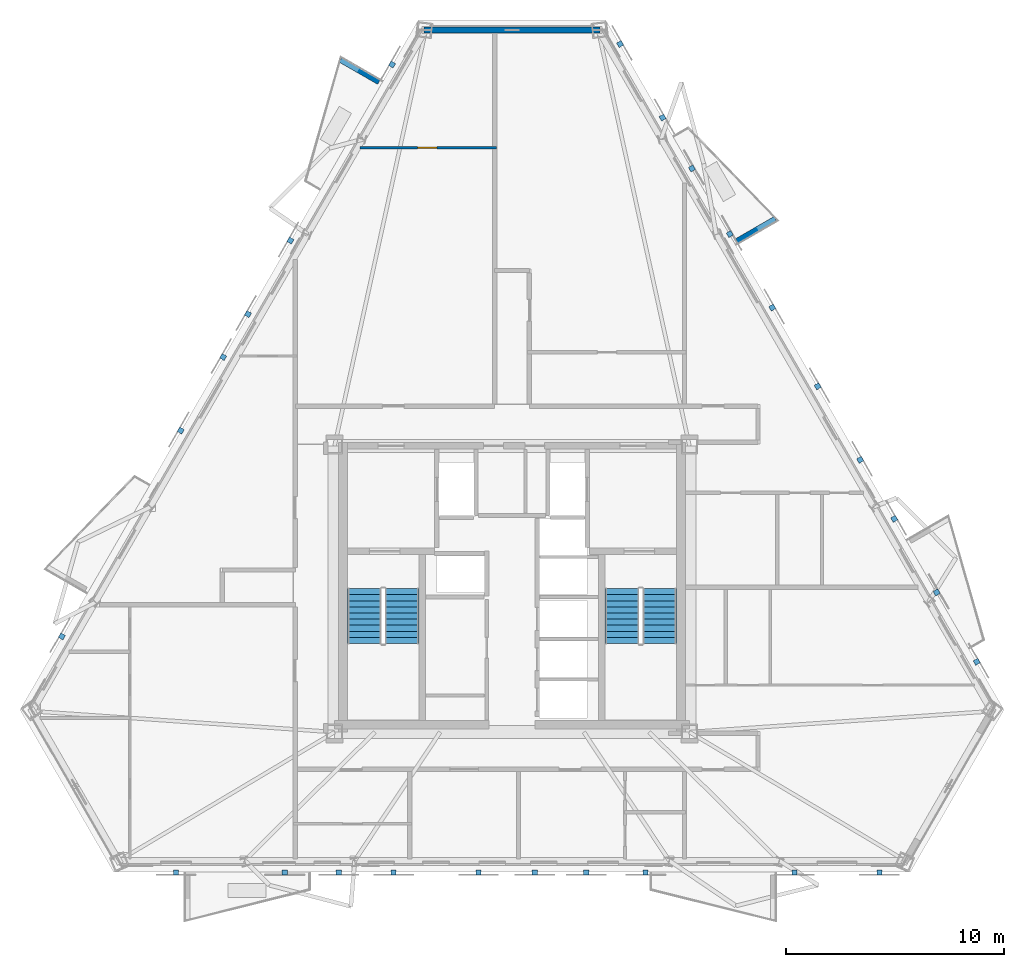
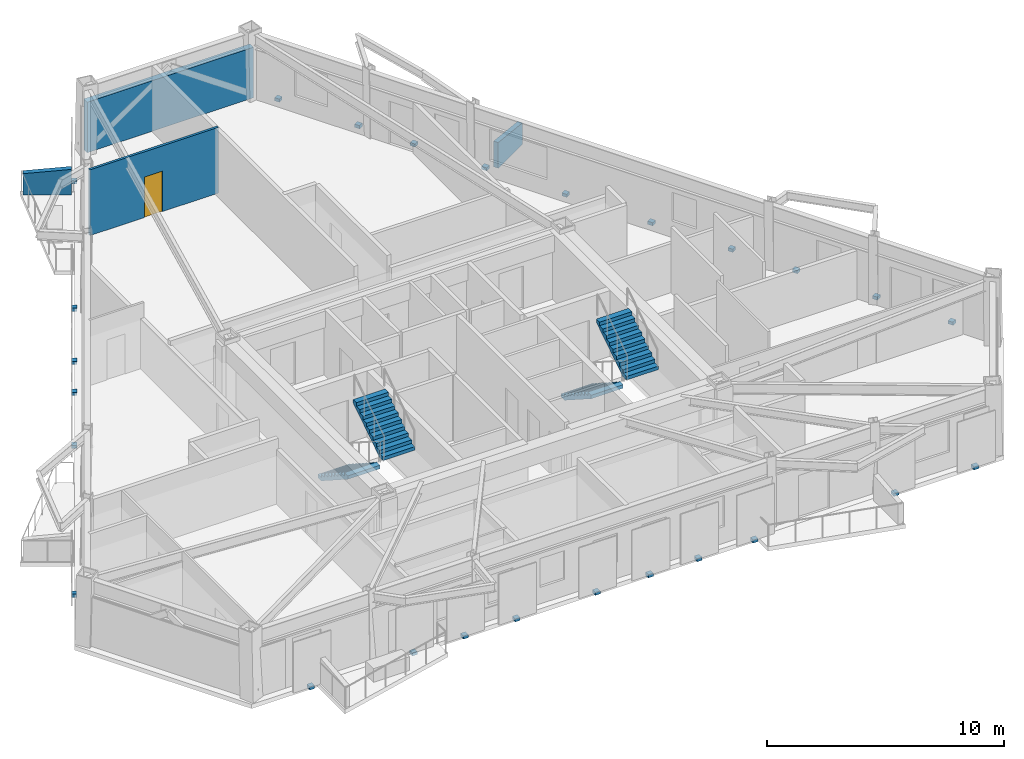
# One storey, part 7 of 10: 26 discrete accessories, 4 stair flights, 4 walls, 1 door, 1 opening, 2 elements without a shape of their own.
"""IFC4 building model written with IfcOpenShell, lengths in metres."""

from ifc_helpers import new_model, si_unit, direction, frame, frame_2d, origin, origin_2d, place, context, subcontext, project, spatial, polyline, rectangle, outline, extrude, material, layer, layer_set, type_object, element, fill, aggregate, save


model = new_model("IFC4")

# Units and contexts
model_context = context("Model", 3, precision=1e-05, world=origin(), true_north=direction((0.0, 1.0)))
body_context = subcontext(model_context, "Body", "Model", "MODEL_VIEW")
ifc_project = project(units=[si_unit("LENGTHUNIT", "METRE"), si_unit("AREAUNIT", "SQUARE_METRE"), si_unit("VOLUMEUNIT", "CUBIC_METRE"), si_unit("PLANEANGLEUNIT", "RADIAN"), si_unit("MASSUNIT", "GRAM", prefix="KILO")], contexts=[model_context])

# Site, building, storey
site_placement = place(None, origin())
site = spatial("IfcSite", under=ifc_project, at=site_placement, CompositionType="ELEMENT")
building_placement = place(site_placement, origin())
building = spatial("IfcBuilding", under=site, at=building_placement, Name="Oramaril Tower", CompositionType="ELEMENT")
storey_placement = place(building_placement, frame((0.0, 0.0, 181.800048828125)))
storey = spatial("IfcBuildingStorey", under=building, at=storey_placement, Name="L48", CompositionType="ELEMENT", Elevation=181.800048828125)

# Walls
ifc_material_1 = material(Name="Warm Cream Limestone", Category="masonry")
ifc_layer_1 = layer(ifc_material_1, 0.2900390625)
ifc_layer_set_1 = layer_set([ifc_layer_1], Name="WT-EXT29")
wall_type_1 = type_object("IfcWallType", Name="WT-EXT29", PredefinedType="SOLIDWALL", material=ifc_layer_set_1)
wall_1_placement = place(storey_placement, frame((41.53857421875, 43.247314453125, 0.0), z_axis=(0.0, 0.0, 1.0), x_axis=(-1.0, 0.0, 0.0)))
element("IfcWall", 1, at=wall_1_placement, inside=storey, type_object=wall_type_1, Name="L48 Tower Limestone Facade Wall 5M", PredefinedType="SOLIDWALL", context=body_context, shape_type="SweptSolid", body=[
    extrude(rectangle(XDim=8.0771484375, YDim=0.2900390625, at=frame_2d((4.03857421875, 0.0))), origin(), (0.0, 0.0, 1.0), 2.599853515625),
])
ifc_material_2 = material(Name="Concrete C40/50", Category="concrete")
ifc_layer_2 = layer(ifc_material_2, 0.22998046875)
ifc_layer_set_2 = layer_set([ifc_layer_2], Name="WT-PRP23")
wall_type_2 = type_object("IfcWallType", Name="WT-PRP23", PredefinedType="PARAPET", material=ifc_layer_set_2)
for number, where, z_axis, x_axis, name in (
    (2, (47.821044921875, 33.5615234375, 0.0), (0.0, 0.0, 1.0), (0.866042246008, 0.499970827278, 0.0), "L48 Trapezoidal Balcony Frame Cheek L48-BAL-NE2-L"),
    (3, (31.386474609375, 40.84912109375, 0.0), (0.0, 0.0, 1.0), (-0.866042246008, 0.499970827278, 0.0), "L48 Trapezoidal Balcony Frame Cheek L48-BAL-NW1-L"),
):
    element("IfcWall", number, at=place(storey_placement, frame(where, z_axis=z_axis, x_axis=x_axis)), inside=storey, type_object=wall_type_2, Name=name, PredefinedType="PARAPET", context=body_context, shape_type="SweptSolid", body=[
        extrude(outline(polyline([(0.0, 0.0), (2.0419921875, 0.0), (2.0419921875, 1.099853515625), (0.0, 1.320068359375), (0.0, 0.0)])), frame((0.0, 0.114990234375, 0.0), z_axis=(0.0, -1.0, 0.0), x_axis=(1.0, 0.0, 0.0)), (0.0, 0.0, 1.0), 0.22998046875),
    ])

# Wall, opening, door
ifc_material_3 = material(Name="Acoustic Gypsum Board Partition")
ifc_layer_3 = layer(ifc_material_3, 0.1201171875)
ifc_layer_set_3 = layer_set([ifc_layer_3], Name="WT-PT12")
wall_type_3 = type_object("IfcWallType", Name="WT-PT12", PredefinedType="PARTITIONING", material=ifc_layer_set_3)
wall_2_placement = place(storey_placement, frame((30.51171875, 37.840087890625, 0.0), z_axis=(0.0, 0.0, 1.0), x_axis=(1.0, 0.0, 0.0)))
wall_2 = element("IfcWall", 4, at=wall_2_placement, inside=storey, type_object=wall_type_3, Name="L48 Interior Partition PT-12", PredefinedType="PARTITIONING", context=body_context, shape_type="SweptSolid", body=[
    extrude(rectangle(XDim=6.270263671875, YDim=0.1201171875, at=frame_2d((3.13525390625, 0.0))), origin(), (0.0, 0.0, 1.0), 3.3798828125),
])
opening_placement = place(wall_2_placement, frame((2.654052734375, 0.0, 0.0)))
opening = element("IfcOpeningElement", 5, at=opening_placement, cuts=wall_2, Name="Opening D-L48-16", PredefinedType="OPENING", context=body_context, shape_type="SweptSolid", body=[
    extrude(rectangle(XDim=0.8798828125, YDim=2.080078125, at=frame_2d((0.43994140625, 1.0400390625))), frame((0.0, 0.06005859375, 0.0), z_axis=(0.0, -1.0, 0.0), x_axis=(1.0, 0.0, 0.0)), (0.0, 0.0, 1.0), 0.1201171875),
])
ifc_material_4 = material(Name="FSC Brazilian Freijo Hardwood", Category="wood")
door_type = type_object("IfcDoorType", Name="DT-BATH", OperationType="NOTDEFINED", PredefinedType="DOOR", material=ifc_material_4)
door_placement = place(opening_placement, origin())
door = element("IfcDoor", 6, at=door_placement, inside=storey, type_object=door_type, Name="L48 Flat L48-U7 Bathroom Door D-L48-16", OperationType="SINGLE_SWING_LEFT", OverallHeight=2.080078125, OverallWidth=0.8798828125, PredefinedType="DOOR", context=body_context, shape_type="SweptSolid", body=[
    extrude(rectangle(XDim=0.8798828125, YDim=2.080078125, at=frame_2d((0.43994140625, 1.0400390625))), frame((0.0, 0.02490234375, 0.0), z_axis=(0.0, -1.0, 0.0), x_axis=(1.0, 0.0, 0.0)), (0.0, 0.0, 1.0), 0.050048828125),
])
fill(opening, door)

# Stair, stair flights
ifc_material_5 = material(Name="Concrete C50/60", Category="concrete")
stair_type = type_object("IfcStairType", Name="STT-DG-3600", PredefinedType="HALF_TURN_STAIR", material=ifc_material_5)
stair_1_placement = place(storey_placement, origin())
stair_1 = element("IfcStair", 7, at=stair_1_placement, inside=storey, type_object=stair_type, Name="L48 Protected PFP Exit Stair ST-1", PredefinedType="HALF_TURN_STAIR")
ifc_material_6 = material(Name="Concrete C50/60", Category="concrete")
stair_flight_type = type_object("IfcStairFlightType", Name="SFT-DG-3600", PredefinedType="STRAIGHT", material=ifc_material_6)
stair_flight_1_placement = place(storey_placement, frame((30.72998046875, 17.590087890625, 0.0), z_axis=(0.0, 0.0, 1.0), x_axis=(0.0, -1.0, 0.0)))
stair_flight_1 = element("IfcStairFlight", 8, at=stair_flight_1_placement, type_object=stair_flight_type, Name="ST-1 flight 1", NumberOfRisers=10, NumberOfTreads=9, PredefinedType="STRAIGHT", RiserHeight=0.18, TreadLength=0.28, context=body_context, shape_type="SweptSolid", body=[
    extrude(outline(polyline([(0.0, 0.0), (0.0, 0.179931640625), (0.280029296875, 0.179931640625), (0.280029296875, 0.360107421875), (0.56005859375, 0.360107421875), (0.56005859375, 0.5400390625), (0.840087890625, 0.5400390625), (0.840087890625, 0.719970703125), (1.1201171875, 0.719970703125), (1.1201171875, 0.89990234375), (1.39990234375, 0.89990234375), (1.39990234375, 1.080078125), (1.679931640625, 1.080078125), (1.679931640625, 1.260009765625), (1.9599609375, 1.260009765625), (1.9599609375, 1.43994140625), (2.239990234375, 1.43994140625), (2.239990234375, 1.6201171875), (2.52001953125, 1.6201171875), (2.52001953125, 1.800048828125), (2.52001953125, 1.44189453125), (0.277099609375, 0.0), (0.0, 0.0)])), frame((0.0, 0.780029296875, 0.0), z_axis=(0.0, -1.0, 0.0), x_axis=(1.0, 0.0, 0.0)), (0.0, 0.0, 1.0), 1.56005859375),
])
stair_flight_2_placement = place(storey_placement, frame((32.43994140625, 15.070068359375, 1.800048828125), z_axis=(0.0, 0.0, 1.0), x_axis=(0.0, 1.0, 0.0)))
stair_flight_2 = element("IfcStairFlight", 9, at=stair_flight_2_placement, type_object=stair_flight_type, Name="ST-1 flight 2", NumberOfRisers=10, NumberOfTreads=9, PredefinedType="STRAIGHT", RiserHeight=0.18, TreadLength=0.28, context=body_context, shape_type="SweptSolid", body=[
    extrude(outline(polyline([(0.0, 0.0), (0.0, 0.179931640625), (0.280029296875, 0.179931640625), (0.280029296875, 0.360107421875), (0.56005859375, 0.360107421875), (0.56005859375, 0.5400390625), (0.840087890625, 0.5400390625), (0.840087890625, 0.719970703125), (1.1201171875, 0.719970703125), (1.1201171875, 0.89990234375), (1.39990234375, 0.89990234375), (1.39990234375, 1.080078125), (1.679931640625, 1.080078125), (1.679931640625, 1.260009765625), (1.9599609375, 1.260009765625), (1.9599609375, 1.43994140625), (2.239990234375, 1.43994140625), (2.239990234375, 1.6201171875), (2.52001953125, 1.6201171875), (2.52001953125, 1.800048828125), (2.52001953125, 1.44189453125), (0.277099609375, 0.0), (0.0, 0.0)])), frame((0.0, 0.780029296875, 0.0), z_axis=(0.0, -1.0, 0.0), x_axis=(1.0, 0.0, 0.0)), (0.0, 0.0, 1.0), 1.56005859375),
])
aggregate(stair_1, [stair_flight_1, stair_flight_2])

stair_2_placement = place(storey_placement, origin())
stair_2 = element("IfcStair", 10, at=stair_2_placement, inside=storey, type_object=stair_type, Name="L48 Protected PFP Exit Stair ST-2", PredefinedType="HALF_TURN_STAIR")
stair_flight_3_placement = place(storey_placement, frame((42.56005859375, 17.590087890625, 0.0), z_axis=(0.0, 0.0, 1.0), x_axis=(0.0, -1.0, 0.0)))
stair_flight_3 = element("IfcStairFlight", 11, at=stair_flight_3_placement, type_object=stair_flight_type, Name="ST-2 flight 1", NumberOfRisers=10, NumberOfTreads=9, PredefinedType="STRAIGHT", RiserHeight=0.18, TreadLength=0.28, context=body_context, shape_type="SweptSolid", body=[
    extrude(outline(polyline([(0.0, 0.0), (0.0, 0.179931640625), (0.280029296875, 0.179931640625), (0.280029296875, 0.360107421875), (0.56005859375, 0.360107421875), (0.56005859375, 0.5400390625), (0.840087890625, 0.5400390625), (0.840087890625, 0.719970703125), (1.1201171875, 0.719970703125), (1.1201171875, 0.89990234375), (1.39990234375, 0.89990234375), (1.39990234375, 1.080078125), (1.679931640625, 1.080078125), (1.679931640625, 1.260009765625), (1.9599609375, 1.260009765625), (1.9599609375, 1.43994140625), (2.239990234375, 1.43994140625), (2.239990234375, 1.6201171875), (2.52001953125, 1.6201171875), (2.52001953125, 1.800048828125), (2.52001953125, 1.44189453125), (0.277099609375, 0.0), (0.0, 0.0)])), frame((0.0, 0.780029296875, 0.0), z_axis=(0.0, -1.0, 0.0), x_axis=(1.0, 0.0, 0.0)), (0.0, 0.0, 1.0), 1.56005859375),
])
stair_flight_4_placement = place(storey_placement, frame((44.27001953125, 15.070068359375, 1.800048828125), z_axis=(0.0, 0.0, 1.0), x_axis=(0.0, 1.0, 0.0)))
stair_flight_4 = element("IfcStairFlight", 12, at=stair_flight_4_placement, type_object=stair_flight_type, Name="ST-2 flight 2", NumberOfRisers=10, NumberOfTreads=9, PredefinedType="STRAIGHT", RiserHeight=0.18, TreadLength=0.28, context=body_context, shape_type="SweptSolid", body=[
    extrude(outline(polyline([(0.0, 0.0), (0.0, 0.179931640625), (0.280029296875, 0.179931640625), (0.280029296875, 0.360107421875), (0.56005859375, 0.360107421875), (0.56005859375, 0.5400390625), (0.840087890625, 0.5400390625), (0.840087890625, 0.719970703125), (1.1201171875, 0.719970703125), (1.1201171875, 0.89990234375), (1.39990234375, 0.89990234375), (1.39990234375, 1.080078125), (1.679931640625, 1.080078125), (1.679931640625, 1.260009765625), (1.9599609375, 1.260009765625), (1.9599609375, 1.43994140625), (2.239990234375, 1.43994140625), (2.239990234375, 1.6201171875), (2.52001953125, 1.6201171875), (2.52001953125, 1.800048828125), (2.52001953125, 1.44189453125), (0.277099609375, 0.0), (0.0, 0.0)])), frame((0.0, 0.780029296875, 0.0), z_axis=(0.0, -1.0, 0.0), x_axis=(1.0, 0.0, 0.0)), (0.0, 0.0, 1.0), 1.56005859375),
])
aggregate(stair_2, [stair_flight_3, stair_flight_4])

# Discrete accessories
for number, where, z_axis, x_axis, name in (
    (13, (32.0595703125, 4.548828125, -0.14013671875), (0.0, 0.0, 1.0), (1.0, 0.0, 0.0), "L48 Solar Screen Slab Bracket"),
    (14, (35.959716796875, 4.548828125, -0.14013671875), (0.0, 0.0, 1.0), (1.0, 0.0, 0.0), "L48 Solar Screen Slab Bracket"),
    (15, (38.540283203125, 4.548828125, -0.14013671875), (0.0, 0.0, 1.0), (1.0, 0.0, 0.0), "L48 Solar Screen Slab Bracket"),
    (16, (27.06103515625, 4.548828125, -0.14013671875), (0.0, 0.0, 1.0), (1.0, 0.0, 0.0), "L48 Solar Screen Slab Bracket"),
    (17, (29.540283203125, 4.548828125, -0.14013671875), (0.0, 0.0, 1.0), (1.0, 0.0, 0.0), "L48 Solar Screen Slab Bracket"),
    (18, (40.910400390625, 4.548828125, -0.14013671875), (0.0, 0.0, 1.0), (1.0, 0.0, 0.0), "L48 Solar Screen Slab Bracket"),
    (19, (43.635986328125, 4.548828125, -0.14013671875), (0.0, 0.0, 1.0), (1.0, 0.0, 0.0), "L48 Solar Screen Slab Bracket"),
    (20, (22.06787109375, 4.548828125, -0.14013671875), (0.0, 0.0, 1.0), (1.0, 0.0, 0.0), "L48 Solar Screen Slab Bracket"),
    (21, (50.474609375, 4.548828125, -0.14013671875), (0.0, 0.0, 1.0), (1.0, 0.0, 0.0), "L48 Solar Screen Slab Bracket"),
    (22, (54.37451171875, 4.548828125, -0.14013671875), (0.0, 0.0, 1.0), (1.0, 0.0, 0.0), "L48 Solar Screen Slab Bracket"),
    (23, (58.844970703125, 14.231689453125, -0.14013671875), (0.0, 0.0, 1.0), (-0.5, 0.866025403784, 0.0), "L48 Solar Screen Slab Bracket"),
    (24, (53.489990234375, 23.506591796875, -0.14013671875), (0.0, 0.0, 1.0), (-0.5, 0.866025403784, 0.0), "L48 Solar Screen Slab Bracket"),
    (25, (51.5400390625, 26.88427734375, -0.14013671875), (0.0, 0.0, 1.0), (-0.5, 0.866025403784, 0.0), "L48 Solar Screen Slab Bracket"),
    (26, (49.453369140625, 30.498291015625, -0.14013671875), (0.0, 0.0, 1.0), (-0.5, 0.866025403784, 0.0), "L48 Solar Screen Slab Bracket"),
    (27, (47.50341796875, 33.875732421875, -0.14013671875), (0.0, 0.0, 1.0), (-0.5, 0.866025403784, 0.0), "L48 Solar Screen Slab Bracket"),
    (28, (57.005615234375, 17.41748046875, -0.14013671875), (0.0, 0.0, 1.0), (-0.5, 0.866025403784, 0.0), "L48 Solar Screen Slab Bracket"),
    (29, (55.0556640625, 20.794921875, -0.14013671875), (0.0, 0.0, 1.0), (-0.5, 0.866025403784, 0.0), "L48 Solar Screen Slab Bracket"),
    (30, (45.76318359375, 36.8896484375, -0.14013671875), (0.0, 0.0, 1.0), (-0.5, 0.866025403784, 0.0), "L48 Solar Screen Slab Bracket"),
    (31, (44.4150390625, 39.224853515625, -0.14013671875), (0.0, 0.0, 1.0), (-0.5, 0.866025403784, 0.0), "L48 Solar Screen Slab Bracket"),
    (32, (42.465087890625, 42.602294921875, -0.14013671875), (0.0, 0.0, 1.0), (-0.5, 0.866025403784, 0.0), "L48 Solar Screen Slab Bracket"),
    (33, (16.826904296875, 15.39501953125, -0.14013671875), (0.0, 0.0, 1.0), (-0.5, -0.866025403784, 0.0), "L48 Solar Screen Slab Bracket"),
    (34, (24.23583984375, 28.227783203125, -0.14013671875), (0.0, 0.0, 1.0), (-0.5, -0.866025403784, 0.0), "L48 Solar Screen Slab Bracket"),
    (35, (22.285888671875, 24.850341796875, -0.14013671875), (0.0, 0.0, 1.0), (-0.5, -0.866025403784, 0.0), "L48 Solar Screen Slab Bracket"),
    (36, (27.32373046875, 33.576416015625, -0.14013671875), (0.0, 0.0, 1.0), (-0.5, -0.866025403784, 0.0), "L48 Solar Screen Slab Bracket"),
    (37, (25.373779296875, 30.19873046875, -0.14013671875), (0.0, 0.0, 1.0), (-0.5, -0.866025403784, 0.0), "L48 Solar Screen Slab Bracket"),
    (38, (31.991943359375, 41.662109375, -0.14013671875), (0.0, 0.0, 1.0), (-0.5, -0.866025403784, 0.0), "L48 Solar Screen Slab Bracket"),
):
    element("IfcDiscreteAccessory", number, at=place(storey_placement, frame(where, z_axis=z_axis, x_axis=x_axis)), inside=storey, Name=name, PredefinedType="BRACKET", context=body_context, shape_type="SweptSolid", body=[
        extrude(rectangle(XDim=0.239990234375, YDim=0.239990234375, at=origin_2d()), origin(), (0.0, 0.0, 1.0), 0.159912109375),
    ])

save(model, "model.ifc")
